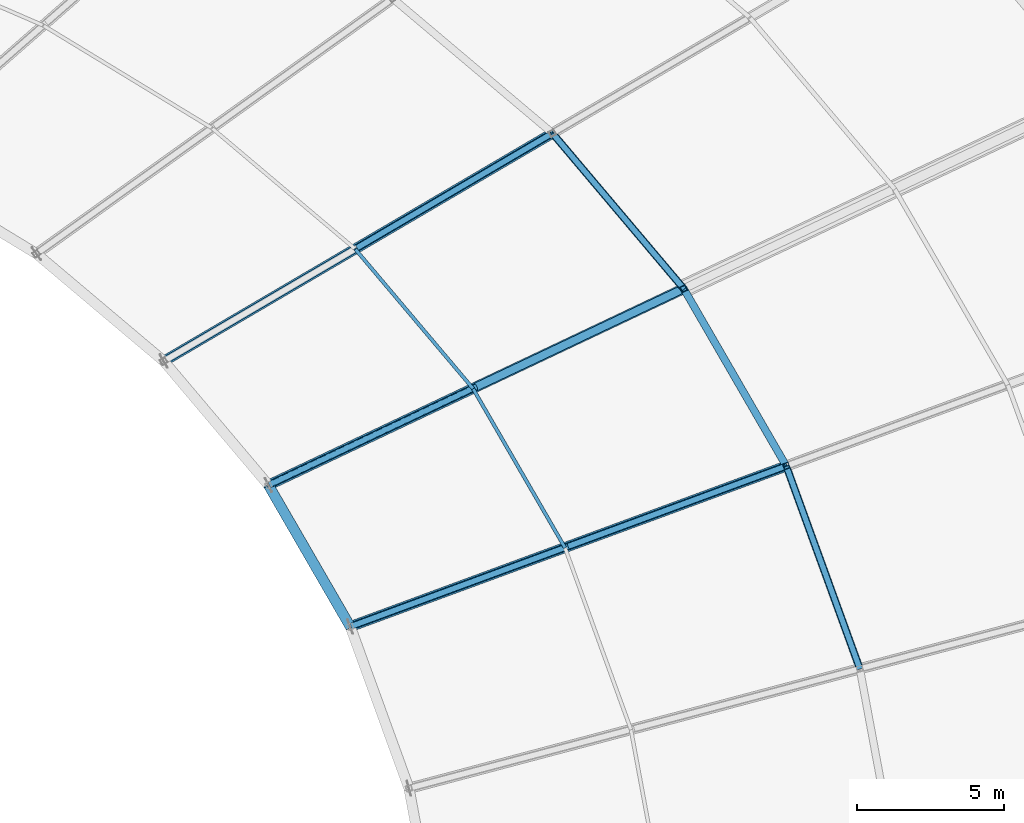
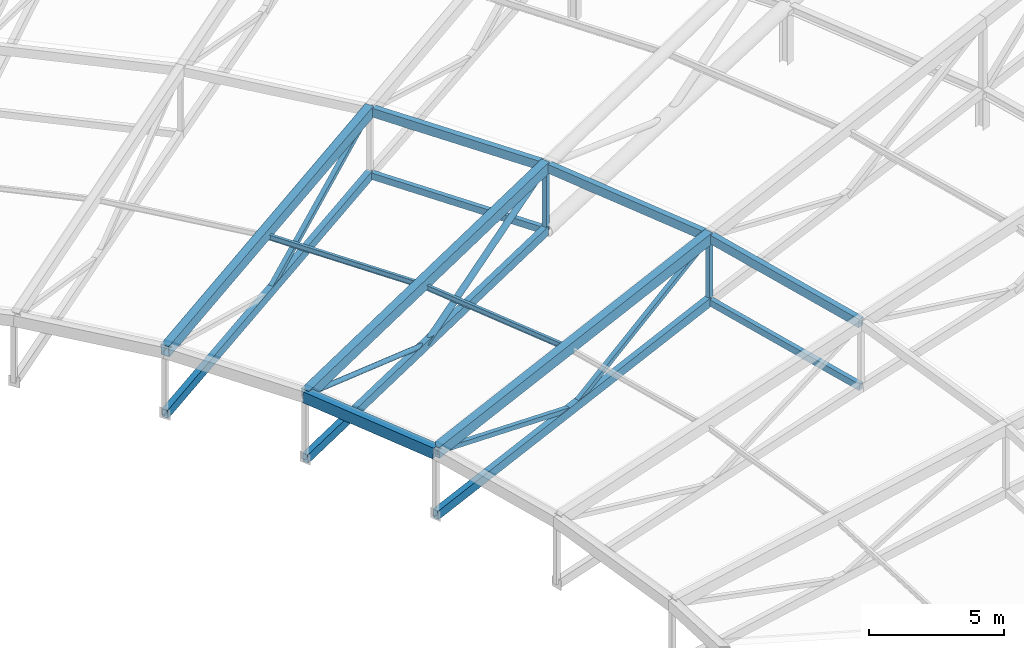
# One storey, part 80 of 143: 11 members, 10 beams.
"""IFC4 building model written with IfcOpenShell, lengths in metres."""

from ifc_helpers import new_model, si_unit, direction, frame, origin, origin_2d, place, context, subcontext, project, spatial, hollow_rectangle, hollow_circle, i_section, extrude, material, material_profile, profile_set, type_object, element, save


model = new_model("IFC4")

# Units and contexts
model_context = context("Model", 3, precision=1e-05, world=origin(), true_north=direction((0.0, 1.0)))
body_context = subcontext(model_context, "Body", "Model", "MODEL_VIEW")
ifc_project = project(units=[si_unit("LENGTHUNIT", "METRE"), si_unit("AREAUNIT", "SQUARE_METRE"), si_unit("VOLUMEUNIT", "CUBIC_METRE"), si_unit("PLANEANGLEUNIT", "RADIAN"), si_unit("MASSUNIT", "GRAM", prefix="KILO")], contexts=[model_context])

# Site, building, storey
site_placement = place(None, origin())
site = spatial("IfcSite", under=ifc_project, at=site_placement, CompositionType="ELEMENT")
building_placement = place(site_placement, origin())
building = spatial("IfcBuilding", under=site, at=building_placement, Name="Mphavela Belvedere Stadium", CompositionType="ELEMENT")
storey_placement = place(building_placement, frame((0.0, 0.0, 28.800048828125)))
storey = spatial("IfcBuildingStorey", under=building, at=storey_placement, Name="RF", CompositionType="ELEMENT", Elevation=28.800048828125)

# Beams
ifc_material_1 = material(Name="Steel S355", Category="steel")
ifc_material_profile_1 = material_profile(ifc_material_1, hollow_rectangle(XDim=0.35009765625, YDim=0.5, WallThickness=0.02001953125, at=origin_2d()), Name="RHS 500x350x20")
ifc_profile_set_1 = profile_set([ifc_material_profile_1], Name="Steel S355")
beam_type_1 = type_object("IfcBeamType", Name="BM-RING-IN", PredefinedType="BEAM", material=ifc_profile_set_1)
beam_1_placement = place(storey_placement, frame((173.47900390625, 108.5439453125, 2.34765625), z_axis=(-0.497643755364, 0.860724360119, 0.107257953759), x_axis=(-0.865718494198, -0.500531206624, 0.0)))
element("IfcBeam", 1, at=beam_1_placement, inside=storey, type_object=beam_type_1, Name="Inner tension ring beam RB-IN-04", PredefinedType="BEAM", context=body_context, shape_type="SweptSolid", body=[
    extrude(hollow_rectangle(XDim=0.35009765625, YDim=0.5, WallThickness=0.02001953125, at=origin_2d()), origin(), (0.0, 0.0, 1.0), 5.59716796875),
])
ifc_material_2 = material(Name="Steel S355", Category="steel")
ifc_material_profile_2 = material_profile(ifc_material_2, hollow_rectangle(XDim=0.25, YDim=0.39990234375, WallThickness=0.01611328125, at=origin_2d()), Name="RHS 400x250x16")
ifc_profile_set_2 = profile_set([ifc_material_profile_2], Name="Steel S355")
beam_type_2 = type_object("IfcBeamType", Name="BM-RING-MID", PredefinedType="BEAM", material=ifc_profile_set_2)
beam_2_placement = place(storey_placement, frame((190.832275390625, 107.10986328125, 2.97705078125), z_axis=(-0.340000028407, 0.9371540744, 0.078372326236), x_axis=(-0.940045505056, -0.341049041085, 0.0)))
element("IfcBeam", 2, at=beam_2_placement, inside=storey, type_object=beam_type_2, Name="Intermediate roof ring beam RB-MID-03", PredefinedType="BEAM", context=body_context, shape_type="SweptSolid", body=[
    extrude(hollow_rectangle(XDim=0.25, YDim=0.39990234375, WallThickness=0.01611328125, at=origin_2d()), origin(), (0.0, 0.0, 1.0), 7.3671875),
])
beam_3_placement = place(storey_placement, frame((188.327392578125, 114.01416015625, 3.554443359375), z_axis=(-0.497680338118, 0.860704872165, 0.107244599316), x_axis=(-0.865697638818, -0.500567276343, 0.0)))
element("IfcBeam", 3, at=beam_3_placement, inside=storey, type_object=beam_type_2, Name="Intermediate roof ring beam RB-MID-04", PredefinedType="BEAM", context=body_context, shape_type="SweptSolid", body=[
    extrude(hollow_rectangle(XDim=0.25, YDim=0.39990234375, WallThickness=0.01611328125, at=origin_2d()), origin(), (0.0, 0.0, 1.0), 7.018310546875),
])
beam_4_placement = place(storey_placement, frame((184.83447265625, 120.054931640625, 4.30712890625), z_axis=(-0.640074393975, 0.757992954841, 0.125504783132), x_axis=(-0.764034161883, -0.645175789592, 0.0)))
element("IfcBeam", 4, at=beam_4_placement, inside=storey, type_object=beam_type_2, Name="Intermediate roof ring beam RB-MID-05", PredefinedType="BEAM", context=body_context, shape_type="SweptSolid", body=[
    extrude(hollow_rectangle(XDim=0.25, YDim=0.39990234375, WallThickness=0.01611328125, at=origin_2d()), origin(), (0.0, 0.0, 1.0), 6.9833984375),
])
ifc_material_3 = material(Name="Steel S355", Category="steel")
ifc_material_profile_3 = material_profile(ifc_material_3, hollow_rectangle(XDim=0.25, YDim=0.39990234375, WallThickness=0.01611328125, at=origin_2d()), Name="RHS 400x250x16")
ifc_profile_set_3 = profile_set([ifc_material_profile_3], Name="Steel S355")
beam_type_3 = type_object("IfcBeamType", Name="BM-TRUSS-BC2", PredefinedType="BEAM", material=ifc_profile_set_3)
beam_5_placement = place(storey_placement, frame((188.327392578125, 114.01416015625, 0.654541015625), z_axis=(-0.935851014092, -0.34477182824, -0.072905869955), x_axis=(0.345691774153, -0.938348121585, 0.0)))
element("IfcBeam", 5, at=beam_5_placement, inside=storey, type_object=beam_type_3, Name="Radial roof truss RT-04 bottom chord 3", PredefinedType="BEAM", context=body_context, shape_type="SweptSolid", body=[
    extrude(hollow_rectangle(XDim=0.25, YDim=0.39990234375, WallThickness=0.01611328125, at=origin_2d()), origin(), (0.0, 0.0, 1.0), 15.8662109375),
])
beam_6_placement = place(storey_placement, frame((184.83447265625, 120.054931640625, 1.4072265625), z_axis=(-0.900712517801, -0.426338191468, -0.083382892568), x_axis=(0.427828067203, -0.903860135703, 0.0)))
element("IfcBeam", 6, at=beam_6_placement, inside=storey, type_object=beam_type_3, Name="Radial roof truss RT-05 bottom chord 3", PredefinedType="BEAM", context=body_context, shape_type="SweptSolid", body=[
    extrude(hollow_rectangle(XDim=0.25, YDim=0.39990234375, WallThickness=0.01611328125, at=origin_2d()), origin(), (0.0, 0.0, 1.0), 15.69970703125),
])
beam_7_placement = place(storey_placement, frame((180.364501953125, 125.348388671875, 2.28369140625), z_axis=(-0.858497397532, -0.503668275615, -0.096439030324), x_axis=(0.506026920854, -0.862517684092, 0.0)))
element("IfcBeam", 7, at=beam_7_placement, inside=storey, type_object=beam_type_3, Name="Radial roof truss RT-06 bottom chord 3", PredefinedType="BEAM", context=body_context, shape_type="SweptSolid", body=[
    extrude(hollow_rectangle(XDim=0.25, YDim=0.39990234375, WallThickness=0.01611328125, at=origin_2d()), origin(), (0.0, 0.0, 1.0), 15.417236328125),
])
ifc_material_4 = material(Name="Steel S355", Category="steel")
ifc_material_profile_4 = material_profile(ifc_material_4, hollow_rectangle(XDim=0.35009765625, YDim=0.5, WallThickness=0.02001953125, at=origin_2d()), Name="RHS 500x350x20")
ifc_profile_set_4 = profile_set([ifc_material_profile_4], Name="Steel S355")
beam_type_4 = type_object("IfcBeamType", Name="BM-TRUSS-TC2", PredefinedType="BEAM", material=ifc_profile_set_4)
beam_8_placement = place(storey_placement, frame((188.327392578125, 114.01416015625, 3.554443359375), z_axis=(-0.935631211578, -0.344690851981, -0.076042438692), x_axis=(0.345691774153, -0.938348121585, 0.0)))
element("IfcBeam", 8, at=beam_8_placement, inside=storey, type_object=beam_type_4, Name="Radial roof truss RT-04 top chord 3", PredefinedType="BEAM", context=body_context, shape_type="SweptSolid", body=[
    extrude(hollow_rectangle(XDim=0.35009765625, YDim=0.5, WallThickness=0.02001953125, at=origin_2d()), origin(), (0.0, 0.0, 1.0), 15.869873046875),
])
beam_9_placement = place(storey_placement, frame((184.83447265625, 120.054931640625, 4.30712890625), z_axis=(-0.900468616366, -0.426222744537, -0.086547345303), x_axis=(0.427828067203, -0.903860135703, 0.0)))
element("IfcBeam", 9, at=beam_9_placement, inside=storey, type_object=beam_type_4, Name="Radial roof truss RT-05 top chord 3", PredefinedType="BEAM", context=body_context, shape_type="SweptSolid", body=[
    extrude(hollow_rectangle(XDim=0.35009765625, YDim=0.5, WallThickness=0.02001953125, at=origin_2d()), origin(), (0.0, 0.0, 1.0), 15.703857421875),
])
beam_10_placement = place(storey_placement, frame((180.364501953125, 125.348388671875, 5.18359375), z_axis=(-0.85822558787, -0.503508808732, -0.099637943852), x_axis=(0.506026920854, -0.862517684092, 0.0)))
element("IfcBeam", 10, at=beam_10_placement, inside=storey, type_object=beam_type_4, Name="Radial roof truss RT-06 top chord 3", PredefinedType="BEAM", context=body_context, shape_type="SweptSolid", body=[
    extrude(hollow_rectangle(XDim=0.35009765625, YDim=0.5, WallThickness=0.02001953125, at=origin_2d()), origin(), (0.0, 0.0, 1.0), 15.422119140625),
])

# Members
ifc_material_5 = material(Name="Steel S355", Category="steel")
ifc_material_profile_5 = material_profile(ifc_material_5, hollow_circle(Radius=0.109619140625, WallThickness=0.012451171875, at=origin_2d()), Name="CHS 219.1x12.5")
ifc_profile_set_5 = profile_set([ifc_material_profile_5], Name="Steel S355")
member_type_1 = type_object("IfcMemberType", Name="MEM-DIAG-219", PredefinedType="BRACE", material=ifc_profile_set_5)
member_1_placement = place(storey_placement, frame((177.763916015625, 116.708251953125, 0.75244140625), z_axis=(-0.870229035696, -0.411916423388, 0.270233760981), x_axis=(0.4278341017, -0.903857279344, 0.0)))
element("IfcMember", 11, at=member_1_placement, inside=storey, type_object=member_type_1, Name="Radial roof truss RT-05 web diagonal D6", PredefinedType="BRACE", context=body_context, shape_type="SweptSolid", body=[
    extrude(hollow_circle(Radius=0.109619140625, WallThickness=0.012451171875, at=origin_2d()), origin(), (0.0, 0.0, 1.0), 8.124755859375),
])
ifc_material_6 = material(Name="Steel S355", Category="steel")
ifc_material_profile_6 = material_profile(ifc_material_6, hollow_circle(Radius=0.136474609375, WallThickness=0.012451171875, at=origin_2d()), Name="CHS 273x12.5")
ifc_profile_set_6 = profile_set([ifc_material_profile_6], Name="Steel S355")
member_type_2 = type_object("IfcMemberType", Name="MEM-DIAG-273", PredefinedType="BRACE", material=ifc_profile_set_6)
member_2_placement = place(storey_placement, frame((184.83447265625, 120.054931640625, 4.30712890625), z_axis=(-0.822887727094, -0.38949431867, -0.413702748748), x_axis=(0.427822032856, -0.903862991942, 0.0)))
element("IfcMember", 12, at=member_2_placement, inside=storey, type_object=member_type_2, Name="Radial roof truss RT-05 web diagonal D5", PredefinedType="BRACE", context=body_context, shape_type="SweptSolid", body=[
    extrude(hollow_circle(Radius=0.136474609375, WallThickness=0.012451171875, at=origin_2d()), origin(), (0.0, 0.0, 1.0), 8.59228515625),
])
ifc_material_7 = material(Name="Steel S355", Category="steel")
ifc_material_profile_7 = material_profile(ifc_material_7, hollow_rectangle(XDim=0.199951171875, YDim=0.199951171875, WallThickness=0.010009765625, at=origin_2d()), Name="SHS 200x200x10")
ifc_profile_set_7 = profile_set([ifc_material_profile_7], Name="Steel S355")
member_type_3 = type_object("IfcMemberType", Name="MEM-POST-SHS200", PredefinedType="POST", material=ifc_profile_set_7)
member_3_placement = place(storey_placement, frame((188.327392578125, 114.01416015625, 0.654541015625), z_axis=(0.0, 0.0, 1.0), x_axis=(0.938372433776, 0.34562577382, 0.0)))
element("IfcMember", 13, at=member_3_placement, inside=storey, type_object=member_type_3, Name="Radial roof truss RT-04 post P3", PredefinedType="POST", context=body_context, shape_type="SweptSolid", body=[
    extrude(hollow_rectangle(XDim=0.199951171875, YDim=0.199951171875, WallThickness=0.010009765625, at=origin_2d()), origin(), (0.0, 0.0, 1.0), 2.89990234375),
])
member_4_placement = place(storey_placement, frame((188.327392578125, 114.01416015625, 3.554443359375), z_axis=(-0.859000503732, -0.316464949301, -0.402452569196), x_axis=(0.345696778918, -0.938346277792, 0.0)))
element("IfcMember", 14, at=member_4_placement, inside=storey, type_object=member_type_3, Name="Radial roof truss RT-04 web diagonal D5", PredefinedType="POST", context=body_context, shape_type="SweptSolid", body=[
    extrude(hollow_rectangle(XDim=0.199951171875, YDim=0.199951171875, WallThickness=0.010009765625, at=origin_2d()), origin(), (0.0, 0.0, 1.0), 8.642578125),
])
member_5_placement = place(storey_placement, frame((180.9033203125, 111.279052734375, 0.076171875), z_axis=(-0.901917470985, -0.332265091333, 0.275943444592), x_axis=(0.345686769524, -0.938349965299, 0.0)))
element("IfcMember", 15, at=member_5_placement, inside=storey, type_object=member_type_3, Name="Radial roof truss RT-04 web diagonal D6", PredefinedType="POST", context=body_context, shape_type="SweptSolid", body=[
    extrude(hollow_rectangle(XDim=0.199951171875, YDim=0.199951171875, WallThickness=0.010009765625, at=origin_2d()), origin(), (0.0, 0.0, 1.0), 8.231689453125),
])
member_6_placement = place(storey_placement, frame((184.83447265625, 120.054931640625, 1.4072265625), z_axis=(0.0, 0.0, 1.0), x_axis=(0.903858661687, 0.4278311813, 0.0)))
element("IfcMember", 16, at=member_6_placement, inside=storey, type_object=member_type_3, Name="Radial roof truss RT-05 post P3", PredefinedType="POST", context=body_context, shape_type="SweptSolid", body=[
    extrude(hollow_rectangle(XDim=0.199951171875, YDim=0.199951171875, WallThickness=0.010009765625, at=origin_2d()), origin(), (0.0, 0.0, 1.0), 2.89990234375),
])
member_7_placement = place(storey_placement, frame((180.364501953125, 125.348388671875, 5.18359375), z_axis=(-0.77914565138, -0.4571052973, -0.428936826486), x_axis=(0.506019976989, -0.862521757922, 0.0)))
element("IfcMember", 17, at=member_7_placement, inside=storey, type_object=member_type_3, Name="Radial roof truss RT-06 web diagonal D5", PredefinedType="POST", context=body_context, shape_type="SweptSolid", body=[
    extrude(hollow_rectangle(XDim=0.199951171875, YDim=0.199951171875, WallThickness=0.010009765625, at=origin_2d()), origin(), (0.0, 0.0, 1.0), 8.493896484375),
])
ifc_material_8 = material(Name="Steel S355", Category="steel")
ifc_material_profile_8 = material_profile(ifc_material_8, i_section(OverallWidth=0.1201171875, OverallDepth=0.239990234375, WebThickness=0.006103515625, FlangeThickness=0.009765625, at=origin_2d()), Name="IPE 240")
ifc_profile_set_8 = profile_set([ifc_material_profile_8], Name="Steel S355")
member_type_4 = type_object("IfcMemberType", Name="MEM-PURLIN-IPE240", PredefinedType="PURLIN", material=ifc_profile_set_8)
member_8_placement = place(storey_placement, frame((180.7890625, 111.237060546875, 2.78173828125), z_axis=(-0.497680434654, 0.860704890066, 0.107244007655), x_axis=(-0.865697601254, -0.500567341308, 0.0)))
element("IfcMember", 18, at=member_8_placement, inside=storey, type_object=member_type_4, Name="Saddle canopy steel purlin 04-1", PredefinedType="PURLIN", context=body_context, shape_type="SweptSolid", body=[
    extrude(i_section(OverallWidth=0.1201171875, OverallDepth=0.239990234375, WebThickness=0.006103515625, FlangeThickness=0.009765625, at=origin_2d()), origin(), (0.0, 0.0, 1.0), 6.296875),
])
member_9_placement = place(storey_placement, frame((177.6552734375, 116.65673828125, 3.45703125), z_axis=(-0.640056738114, 0.758007045326, 0.125509725646), x_axis=(-0.764048846211, -0.645158399623, 0.0)))
element("IfcMember", 19, at=member_9_placement, inside=storey, type_object=member_type_4, Name="Saddle canopy steel purlin 05-1", PredefinedType="PURLIN", context=body_context, shape_type="SweptSolid", body=[
    extrude(i_section(OverallWidth=0.1201171875, OverallDepth=0.239990234375, WebThickness=0.006103515625, FlangeThickness=0.009765625, at=origin_2d()), origin(), (0.0, 0.0, 1.0), 6.265380859375),
])
ifc_material_9 = material(Name="Steel S355", Category="steel")
ifc_material_profile_9 = material_profile(ifc_material_9, hollow_rectangle(XDim=0.199951171875, YDim=0.300048828125, WallThickness=0.011962890625, at=origin_2d()), Name="RHS 300x200x12")
ifc_profile_set_9 = profile_set([ifc_material_profile_9], Name="Steel S355")
member_type_5 = type_object("IfcMemberType", Name="MEM-SEC-CHORD", PredefinedType="CHORD", material=ifc_profile_set_9)
member_10_placement = place(storey_placement, frame((190.832275390625, 107.10986328125, 0.0771484375), z_axis=(-0.340000028407, 0.9371540744, 0.078372326236), x_axis=(-0.940045505056, -0.341049041085, 0.0)))
element("IfcMember", 20, at=member_10_placement, inside=storey, type_object=member_type_5, Name="Secondary bottom roof tie chord 03", PredefinedType="CHORD", context=body_context, shape_type="SweptSolid", body=[
    extrude(hollow_rectangle(XDim=0.199951171875, YDim=0.300048828125, WallThickness=0.011962890625, at=origin_2d()), origin(), (0.0, 0.0, 1.0), 7.3671875),
])
member_11_placement = place(storey_placement, frame((184.83447265625, 120.054931640625, 1.4072265625), z_axis=(-0.640074393975, 0.757992954841, 0.125504783132), x_axis=(-0.764034161883, -0.645175789592, 0.0)))
element("IfcMember", 21, at=member_11_placement, inside=storey, type_object=member_type_5, Name="Secondary bottom roof tie chord 05", PredefinedType="CHORD", context=body_context, shape_type="SweptSolid", body=[
    extrude(hollow_rectangle(XDim=0.199951171875, YDim=0.300048828125, WallThickness=0.011962890625, at=origin_2d()), origin(), (0.0, 0.0, 1.0), 6.9833984375),
])

save(model, "model.ifc")
